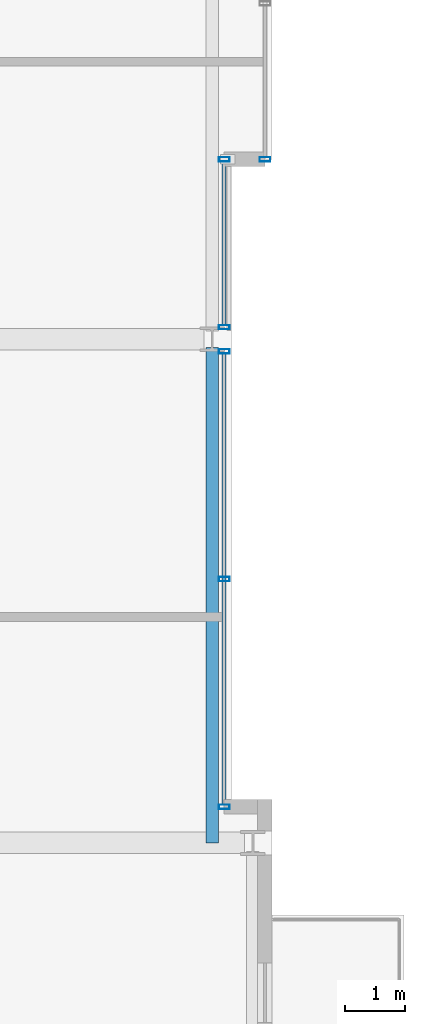
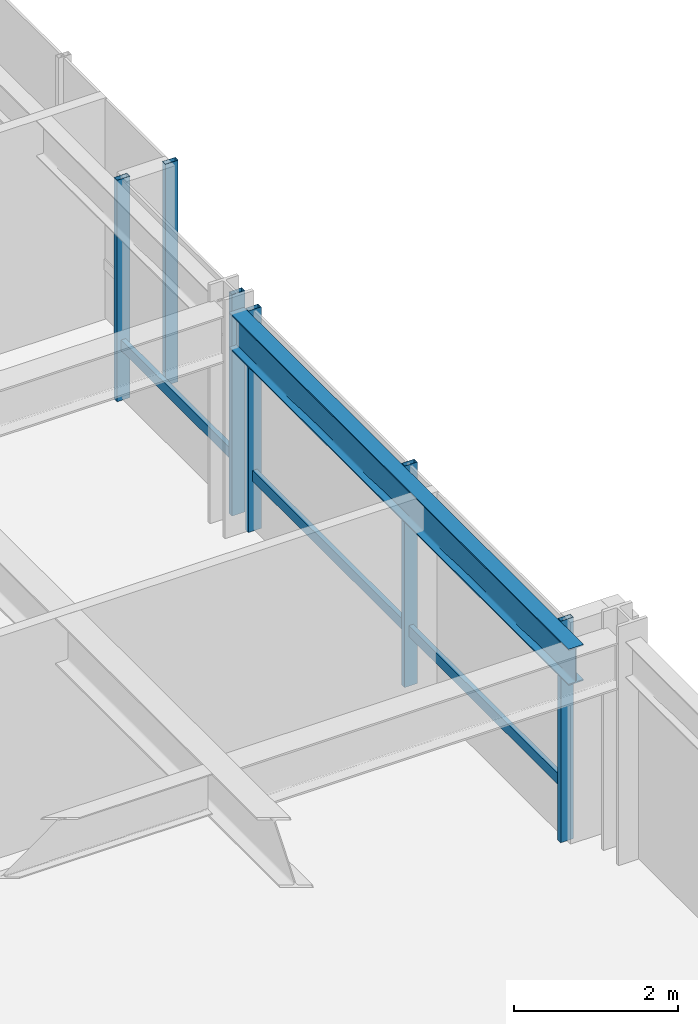
# One storey, part 15 of 33: 8 members, 1 beam, 3 elements without a shape of their own.
"""IFC4 building model written with IfcOpenShell, lengths in metres."""

from ifc_helpers import new_model, si_unit, direction, frame, origin, origin_2d, place, context, subcontext, project, spatial, hollow_rectangle, i_section, extrude, material, layer, layer_set, material_profile, profile_set, type_object, element, aggregate, save


model = new_model("IFC4")

# Units and contexts
model_context = context("Model", 3, precision=1e-05, world=origin(), true_north=direction((0.0, 1.0)))
body_context = subcontext(model_context, "Body", "Model", "MODEL_VIEW")
ifc_project = project(units=[si_unit("LENGTHUNIT", "METRE"), si_unit("AREAUNIT", "SQUARE_METRE"), si_unit("VOLUMEUNIT", "CUBIC_METRE"), si_unit("PLANEANGLEUNIT", "RADIAN"), si_unit("MASSUNIT", "GRAM", prefix="KILO")], contexts=[model_context])

# Site, building, storey
site_placement = place(None, origin())
site = spatial("IfcSite", under=ifc_project, at=site_placement, CompositionType="ELEMENT")
building_placement = place(site_placement, origin())
building = spatial("IfcBuilding", under=site, at=building_placement, Name="Drelvath Grand Hotel", CompositionType="ELEMENT")
storey_placement = place(building_placement, frame((0.0, 0.0, 161.050048828125)))
storey = spatial("IfcBuildingStorey", under=building, at=storey_placement, Name="L41", CompositionType="ELEMENT", Elevation=161.050048828125)

# Curtain wall, member
ifc_material_1 = material(Name="Brushed Pale-Silver Anodised Aluminium Frame", Category="aluminium")
ifc_layer = layer(ifc_material_1, 0.199951171875)
ifc_layer_set = layer_set([ifc_layer], Name="Brushed Pale-Silver Anodised Aluminium Frame")
curtain_wall_type = type_object("IfcCurtainWallType", Name="Stick Curtain Wall CW-04 Brushed Silver Upper-Mid", PredefinedType="NOTDEFINED", material=ifc_layer_set)
curtain_wall_1_placement = place(storey_placement, origin())
curtain_wall_1 = element("IfcCurtainWall", 1, at=curtain_wall_1_placement, inside=storey, type_object=curtain_wall_type, Name="L41 CW-04 Curtain Wall CW04-L41-EM1", PredefinedType="NOTDEFINED")
ifc_material_profile_1 = material_profile(ifc_material_1, hollow_rectangle(XDim=0.06494140625, YDim=0.159912109375, WallThickness=0.00390625, at=origin_2d()), Name="HSS160X65X4")
ifc_profile_set_1 = profile_set([ifc_material_profile_1], Name="Brushed Pale-Silver Anodised Aluminium Frame")
member_type_1 = type_object("IfcMemberType", Name="Curtain Wall Horizontal Transom CW-04 HSS160X65X4", PredefinedType="USERDEFINED", material=ifc_profile_set_1)
member_1_placement = place(storey_placement, frame((21.39990234375, 26.760009765625, 0.822509765625), z_axis=(0.0, -1.0, 0.0), x_axis=(1.0, 0.0, 0.0)))
member_1 = element("IfcMember", 2, at=member_1_placement, type_object=member_type_1, Name="CW04-L41-EM1 Sill Transom", ObjectType="TRANSOM", PredefinedType="USERDEFINED", context=body_context, shape_type="SweptSolid", body=[
    extrude(hollow_rectangle(XDim=0.06494140625, YDim=0.159912109375, WallThickness=0.00390625, at=origin_2d()), origin(), (0.0, 0.0, 1.0), 7.52001953125),
])

curtain_wall_2_placement = place(storey_placement, origin())
curtain_wall_2 = element("IfcCurtainWall", 3, at=curtain_wall_2_placement, inside=storey, type_object=curtain_wall_type, Name="L41 CW-04 Curtain Wall CW04-L41-EM2", PredefinedType="NOTDEFINED")
member_2_placement = place(storey_placement, frame((21.39990234375, 29.9599609375, 0.822509765625), z_axis=(0.0, -1.0, 0.0), x_axis=(1.0, 0.0, 0.0)))
member_2 = element("IfcMember", 4, at=member_2_placement, type_object=member_type_1, Name="CW04-L41-EM2 Sill Transom", ObjectType="TRANSOM", PredefinedType="USERDEFINED", context=body_context, shape_type="SweptSolid", body=[
    extrude(hollow_rectangle(XDim=0.06494140625, YDim=0.159912109375, WallThickness=0.00390625, at=origin_2d()), origin(), (0.0, 0.0, 1.0), 2.719970703125),
])

curtain_wall_3_placement = place(storey_placement, origin())
curtain_wall_3 = element("IfcCurtainWall", 5, at=curtain_wall_3_placement, inside=storey, type_object=curtain_wall_type, Name="L41 CW-04 Curtain Wall CW04-L41-EN1", PredefinedType="NOTDEFINED")
ifc_material_profile_2 = material_profile(ifc_material_1, hollow_rectangle(XDim=0.074951171875, YDim=0.179931640625, WallThickness=0.0048828125, at=origin_2d()), Name="HSS180X75X5")
ifc_profile_set_2 = profile_set([ifc_material_profile_2], Name="Brushed Pale-Silver Anodised Aluminium Frame")
member_type_2 = type_object("IfcMemberType", Name="Curtain Wall Vertical Mullion CW-04 HSS180X75X5", PredefinedType="MULLION", material=ifc_profile_set_2)
member_3_placement = place(storey_placement, frame((22.080078125, 30.0, 0.0), z_axis=(0.0, 0.0, 1.0), x_axis=(0.0, 1.0, 0.0)))
member_3 = element("IfcMember", 6, at=member_3_placement, type_object=member_type_2, Name="CW04-L41-EN1 Mullion 3", PredefinedType="MULLION", context=body_context, shape_type="SweptSolid", body=[
    extrude(hollow_rectangle(XDim=0.074951171875, YDim=0.179931640625, WallThickness=0.0048828125, at=origin_2d()), origin(), (0.0, 0.0, 1.0), 3.2900390625),
])
aggregate(curtain_wall_3, [member_3])

# Member
member_4_placement = place(storey_placement, frame((21.39990234375, 26.7998046875, 0.0), z_axis=(0.0, 0.0, 1.0), x_axis=(0.0, 1.0, 0.0)))
member_4 = element("IfcMember", 7, at=member_4_placement, type_object=member_type_2, Name="CW04-L41-EM1 Mullion 1", PredefinedType="MULLION", context=body_context, shape_type="SweptSolid", body=[
    extrude(hollow_rectangle(XDim=0.074951171875, YDim=0.179931640625, WallThickness=0.0048828125, at=origin_2d()), origin(), (0.0, 0.0, 1.0), 3.2900390625),
])

member_5_placement = place(storey_placement, frame((21.39990234375, 23.0, 0.0), z_axis=(0.0, 0.0, 1.0), x_axis=(0.0, 1.0, 0.0)))
member_5 = element("IfcMember", 8, at=member_5_placement, type_object=member_type_2, Name="CW04-L41-EM1 Mullion 2", PredefinedType="MULLION", context=body_context, shape_type="SweptSolid", body=[
    extrude(hollow_rectangle(XDim=0.074951171875, YDim=0.179931640625, WallThickness=0.0048828125, at=origin_2d()), origin(), (0.0, 0.0, 1.0), 3.2900390625),
])

member_6_placement = place(storey_placement, frame((21.39990234375, 19.199951171875, 0.0), z_axis=(0.0, 0.0, 1.0), x_axis=(0.0, 1.0, 0.0)))
member_6 = element("IfcMember", 9, at=member_6_placement, type_object=member_type_2, Name="CW04-L41-EM1 Mullion 3", PredefinedType="MULLION", context=body_context, shape_type="SweptSolid", body=[
    extrude(hollow_rectangle(XDim=0.074951171875, YDim=0.179931640625, WallThickness=0.0048828125, at=origin_2d()), origin(), (0.0, 0.0, 1.0), 3.2900390625),
])

aggregate(curtain_wall_1, [member_4, member_5, member_6, member_1])

member_7_placement = place(storey_placement, frame((21.39990234375, 30.0, 0.0), z_axis=(0.0, 0.0, 1.0), x_axis=(0.0, 1.0, 0.0)))
member_7 = element("IfcMember", 10, at=member_7_placement, type_object=member_type_2, Name="CW04-L41-EM2 Mullion 1", PredefinedType="MULLION", context=body_context, shape_type="SweptSolid", body=[
    extrude(hollow_rectangle(XDim=0.074951171875, YDim=0.179931640625, WallThickness=0.0048828125, at=origin_2d()), origin(), (0.0, 0.0, 1.0), 3.2900390625),
])

member_8_placement = place(storey_placement, frame((21.39990234375, 27.2001953125, 0.0), z_axis=(0.0, 0.0, 1.0), x_axis=(0.0, 1.0, 0.0)))
member_8 = element("IfcMember", 11, at=member_8_placement, type_object=member_type_2, Name="CW04-L41-EM2 Mullion 2", PredefinedType="MULLION", context=body_context, shape_type="SweptSolid", body=[
    extrude(hollow_rectangle(XDim=0.074951171875, YDim=0.179931640625, WallThickness=0.0048828125, at=origin_2d()), origin(), (0.0, 0.0, 1.0), 3.2900390625),
])

aggregate(curtain_wall_2, [member_7, member_8, member_2])

# Beam
ifc_material_2 = material(Name="Steel ASTM A992 Gr 50", Category="steel")
ifc_material_profile_3 = material_profile(ifc_material_2, i_section(OverallWidth=0.210205078125, OverallDepth=0.53662109375, WebThickness=0.010986328125, FlangeThickness=0.017333984375, FilletRadius=0.01806640625, at=origin_2d()), Name="W21X68")
ifc_profile_set_3 = profile_set([ifc_material_profile_3], Name="Steel ASTM A992 Gr 50")
beam_type = type_object("IfcBeamType", Name="Perimeter Spandrel Beam W21X68", PredefinedType="SPANDREL", material=ifc_profile_set_3)
beam_placement = place(storey_placement, frame((21.199951171875, 18.60009765625, 3.021728515625), z_axis=(0.0, 1.0, 0.0), x_axis=(-1.0, 0.0, 0.0)))
element("IfcBeam", 12, at=beam_placement, inside=storey, type_object=beam_type, Name="L41 Spandrel East Mid S", PredefinedType="SPANDREL", context=body_context, shape_type="SweptSolid", body=[
    extrude(i_section(OverallWidth=0.210205078125, OverallDepth=0.53662109375, WebThickness=0.010986328125, FlangeThickness=0.017333984375, FilletRadius=0.01806640625, at=origin_2d()), origin(), (0.0, 0.0, 1.0), 8.260009765625),
])

save(model, "model.ifc")
